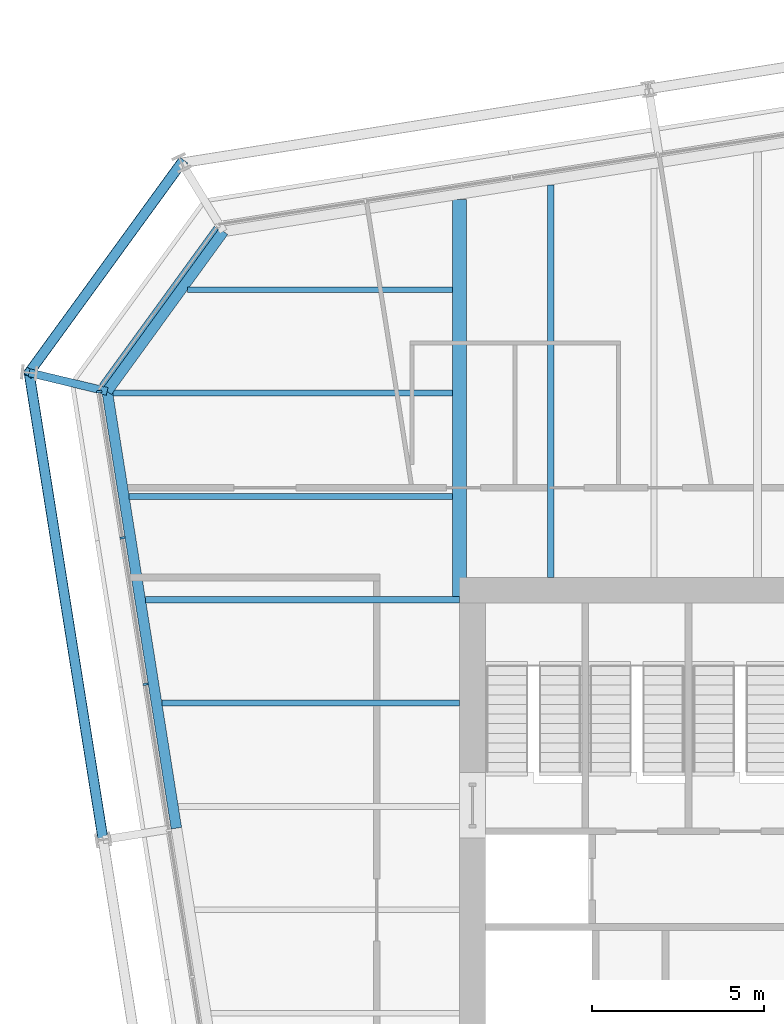
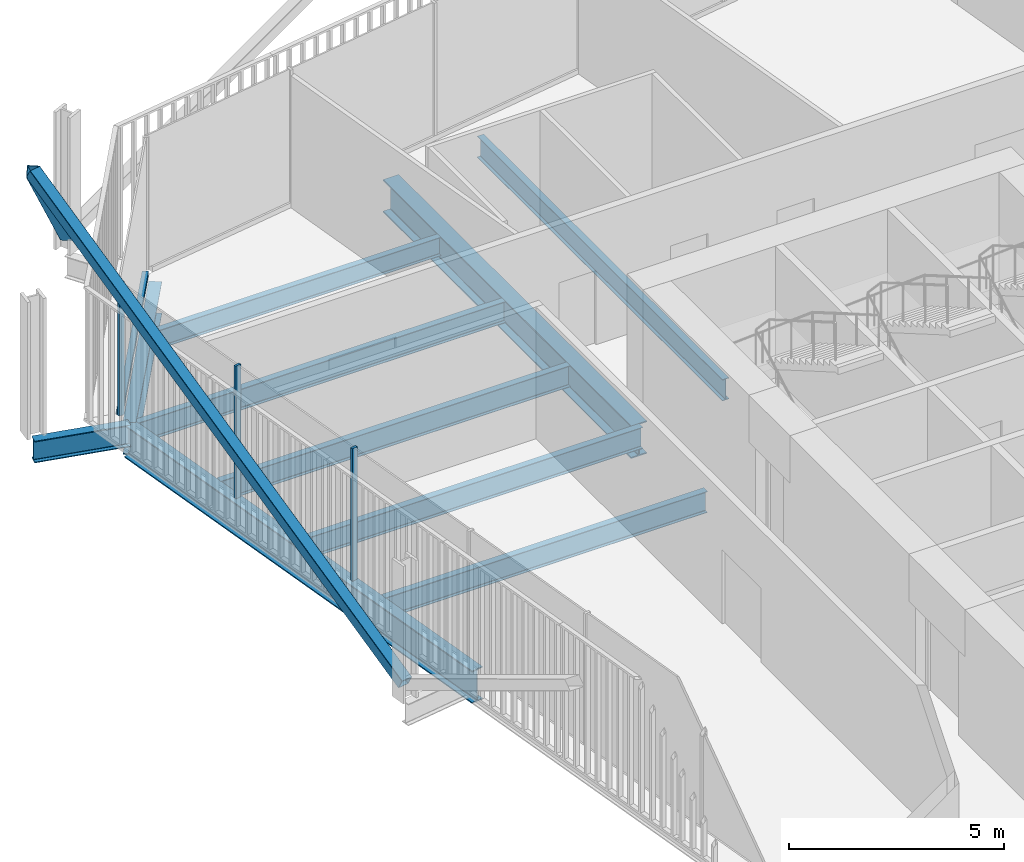
# One storey, part 10 of 22: 10 beams, 6 members, 2 elements without a shape of their own.
"""IFC4 building model written with IfcOpenShell, lengths in metres."""

from ifc_helpers import new_model, si_unit, direction, frame, origin, origin_2d, place, context, subcontext, project, spatial, rectangle, hollow_rectangle, i_section, extrude, material, layer, layer_set, material_profile, profile_set, type_object, element, aggregate, save


model = new_model("IFC4")

# Units and contexts
model_context = context("Model", 3, precision=1e-05, world=origin(), true_north=direction((0.0, 1.0)))
body_context = subcontext(model_context, "Body", "Model", "MODEL_VIEW")
ifc_project = project(units=[si_unit("LENGTHUNIT", "METRE"), si_unit("AREAUNIT", "SQUARE_METRE"), si_unit("VOLUMEUNIT", "CUBIC_METRE"), si_unit("PLANEANGLEUNIT", "RADIAN"), si_unit("MASSUNIT", "GRAM", prefix="KILO")], contexts=[model_context])

# Site, building, storey
site_placement = place(None, origin())
site = spatial("IfcSite", under=ifc_project, at=site_placement, CompositionType="ELEMENT")
building_placement = place(site_placement, origin())
building = spatial("IfcBuilding", under=site, at=building_placement, Name="Millrace Tower", CompositionType="ELEMENT")
storey_placement = place(building_placement, frame((0.0, 0.0, 180.0)))
storey = spatial("IfcBuildingStorey", under=building, at=storey_placement, Name="L40", CompositionType="ELEMENT", Elevation=180.0)

# Curtain wall, members
ifc_material_1 = material(Name="Aluminium and glass", Category="aluminium")
ifc_layer = layer(ifc_material_1, 0.14990234375)
ifc_layer_set = layer_set([ifc_layer], Name="Aluminium and glass")
curtain_wall_type = type_object("IfcCurtainWallType", Name="CW-1 office vision curtain wall", PredefinedType="NOTDEFINED", material=ifc_layer_set)
placement = place(storey_placement, origin())
curtain_wall_1 = element("IfcCurtainWall", 1, at=placement, inside=storey, type_object=curtain_wall_type, Name="Curtain wall C-F08 L40", PredefinedType="NOTDEFINED")
ifc_material_2 = material(Name="Aluminium", Category="aluminium")
ifc_material_profile_1 = material_profile(ifc_material_2, rectangle(XDim=0.06494140625, YDim=0.14990234375, at=origin_2d()))
ifc_profile_set_1 = profile_set([ifc_material_profile_1], Name="Aluminium")
member_type_1 = type_object("IfcMemberType", Name="CW-1 office vision curtain wall mullion", PredefinedType="MULLION", material=ifc_profile_set_1)
member_1_placement = place(storey_placement, frame((-25.106689453125, 15.041748046875, 0.139892578125), z_axis=(0.0, 0.0, 1.0), x_axis=(0.15643447328, -0.98768833929, 0.0)))
member_1 = element("IfcMember", 2, at=member_1_placement, type_object=member_type_1, Name="CW1 mullion C-F08.1", PredefinedType="MULLION", context=body_context, shape_type="SweptSolid", body=[
    extrude(rectangle(XDim=0.06494140625, YDim=0.14990234375, at=origin_2d()), origin(), (0.0, 0.0, 1.0), 3.760009765625),
])
member_2_placement = place(storey_placement, frame((-24.43408203125, 10.794677734375, 0.139892578125), z_axis=(0.0, 0.0, 1.0), x_axis=(0.15643447328, -0.98768833929, 0.0)))
member_2 = element("IfcMember", 3, at=member_2_placement, type_object=member_type_1, Name="CW1 mullion C-F08.2", PredefinedType="MULLION", context=body_context, shape_type="SweptSolid", body=[
    extrude(rectangle(XDim=0.06494140625, YDim=0.14990234375, at=origin_2d()), origin(), (0.0, 0.0, 1.0), 3.760009765625),
])
member_3_placement = place(storey_placement, frame((-23.76123046875, 6.547607421875, 0.139892578125), z_axis=(0.0, 0.0, 1.0), x_axis=(0.15643447328, -0.98768833929, 0.0)))
member_3 = element("IfcMember", 4, at=member_3_placement, type_object=member_type_1, Name="CW1 mullion C-F08.3", PredefinedType="MULLION", context=body_context, shape_type="SweptSolid", body=[
    extrude(rectangle(XDim=0.06494140625, YDim=0.14990234375, at=origin_2d()), origin(), (0.0, 0.0, 1.0), 3.760009765625),
])
aggregate(curtain_wall_1, [member_1, member_2, member_3])

# Curtain wall, member
curtain_wall_2 = element("IfcCurtainWall", 5, at=placement, inside=storey, type_object=curtain_wall_type, Name="Curtain wall C-F07 L40", PredefinedType="NOTDEFINED")
ifc_material_3 = material(Name="Aluminium", Category="aluminium")
ifc_material_profile_2 = material_profile(ifc_material_3, rectangle(XDim=0.14990234375, YDim=0.139892578125, at=origin_2d()))
ifc_profile_set_2 = profile_set([ifc_material_profile_2], Name="Aluminium")
member_type_2 = type_object("IfcMemberType", Name="CW-1 office vision curtain wall transom", PredefinedType="USERDEFINED", material=ifc_profile_set_2)
member_4_placement = place(storey_placement, frame((-21.70751953125, 19.796875, 0.070068359375), z_axis=(-0.587761915215, -0.80903394924, 0.0), x_axis=(0.80903394924, -0.587761915215, 0.0)))
member_4 = element("IfcMember", 6, at=member_4_placement, type_object=member_type_2, Name="CW1 transom C-F07.1", ObjectType="TRANSOM", PredefinedType="USERDEFINED", context=body_context, shape_type="SweptSolid", body=[
    extrude(rectangle(XDim=0.14990234375, YDim=0.139892578125, at=origin_2d()), origin(), (0.0, 0.0, 1.0), 5.6689453125),
])
aggregate(curtain_wall_2, [member_4])

# Members
ifc_material_4 = material(Name="Steel ASTM A500 Grade C", Category="steel")
ifc_material_profile_3 = material_profile(ifc_material_4, hollow_rectangle(XDim=0.3046875, YDim=0.3046875, WallThickness=0.0126953125, InnerFilletRadius=0.00634765625, OuterFilletRadius=0.01904296875, at=origin_2d()))
ifc_profile_set_3 = profile_set([ifc_material_profile_3], Name="Steel ASTM A500 Grade C")
member_type_3 = type_object("IfcMemberType", Name="Exoskeleton brace HSS12x12x1/2", PredefinedType="BRACE", material=ifc_profile_set_3)
member_5_placement = place(storey_placement, frame((-22.718994140625, 21.679443359375, 0.39990234375), z_axis=(-0.430389097037, -0.592387752691, 0.681059450866), x_axis=(0.809020759968, -0.587780069364, 0.0)))
element("IfcMember", 7, at=member_5_placement, inside=storey, type_object=member_type_3, Name="BRC-C-L40-13", PredefinedType="BRACE", context=body_context, shape_type="SweptSolid", body=[
    extrude(hollow_rectangle(XDim=0.3046875, YDim=0.3046875, WallThickness=0.0126953125, InnerFilletRadius=0.00634765625, OuterFilletRadius=0.01904296875, at=origin_2d()), origin(), (0.0, 0.0, 1.0), 10.278076171875),
])
member_6_placement = place(storey_placement, frame((-24.9951171875, 2.031494140625, 0.39990234375), z_axis=(-0.139355372932, 0.879906554943, 0.454251620363), x_axis=(-0.987689751328, -0.156425557764, 0.0)))
element("IfcMember", 8, at=member_6_placement, inside=storey, type_object=member_type_3, Name="BRC-C-L40-14", PredefinedType="BRACE", context=body_context, shape_type="SweptSolid", body=[
    extrude(hollow_rectangle(XDim=0.3046875, YDim=0.3046875, WallThickness=0.0126953125, InnerFilletRadius=0.00634765625, OuterFilletRadius=0.01904296875, at=origin_2d()), origin(), (0.0, 0.0, 1.0), 15.409912109375),
])

# Beams
ifc_material_5 = material(Name="Steel ASTM A992 Grade 50", Category="steel")
ifc_material_profile_4 = material_profile(ifc_material_5, i_section(OverallWidth=0.1650390625, OverallDepth=0.52587890625, WebThickness=0.0087890625, FlangeThickness=0.011474609375, FilletRadius=0.0126953125, at=origin_2d()))
ifc_profile_set_4 = profile_set([ifc_material_profile_4], Name="Steel ASTM A992 Grade 50")
beam_type_1 = type_object("IfcBeamType", Name="Floor beam W21x44", PredefinedType="JOIST", material=ifc_profile_set_4)
beam_1_placement = place(storey_placement, frame((-22.540283203125, 18.0, -0.4228515625), z_axis=(1.0, 0.0, 0.0), x_axis=(0.0, 1.0, 0.0)))
element("IfcBeam", 9, at=beam_1_placement, inside=storey, type_object=beam_type_1, Name="BM-C-L40-S1-S035", PredefinedType="JOIST", context=body_context, shape_type="SweptSolid", body=[
    extrude(i_section(OverallWidth=0.1650390625, OverallDepth=0.52587890625, WebThickness=0.0087890625, FlangeThickness=0.011474609375, FilletRadius=0.0126953125, at=origin_2d()), origin(), (0.0, 0.0, 1.0), 7.6806640625),
])
ifc_material_6 = material(Name="Steel ASTM A992 Grade 50", Category="steel")
ifc_material_profile_5 = material_profile(ifc_material_6, i_section(OverallWidth=0.177978515625, OverallDepth=0.599365234375, WebThickness=0.010009765625, FlangeThickness=0.012939453125, FilletRadius=0.012939453125, at=origin_2d()))
ifc_profile_set_5 = profile_set([ifc_material_profile_5], Name="Steel ASTM A992 Grade 50")
beam_type_2 = type_object("IfcBeamType", Name="Floor beam W24x55", PredefinedType="JOIST", material=ifc_profile_set_5)
beam_2_placement = place(storey_placement, frame((-23.28759765625, 6.0, -0.459716796875), z_axis=(1.0, 0.0, 0.0), x_axis=(0.0, 1.0, 0.0)))
element("IfcBeam", 10, at=beam_2_placement, inside=storey, type_object=beam_type_2, Name="BM-C-L40-S1-S026", PredefinedType="JOIST", context=body_context, shape_type="SweptSolid", body=[
    extrude(i_section(OverallWidth=0.177978515625, OverallDepth=0.599365234375, WebThickness=0.010009765625, FlangeThickness=0.012939453125, FilletRadius=0.012939453125, at=origin_2d()), origin(), (0.0, 0.0, 1.0), 8.6376953125),
])
beam_3_placement = place(storey_placement, frame((-23.7626953125, 9.0, -0.459716796875), z_axis=(1.0, 0.0, 0.0), x_axis=(0.0, 1.0, 0.0)))
element("IfcBeam", 11, at=beam_3_placement, inside=storey, type_object=beam_type_2, Name="BM-C-L40-S1-S029", PredefinedType="JOIST", context=body_context, shape_type="SweptSolid", body=[
    extrude(i_section(OverallWidth=0.177978515625, OverallDepth=0.599365234375, WebThickness=0.010009765625, FlangeThickness=0.012939453125, FilletRadius=0.012939453125, at=origin_2d()), origin(), (0.0, 0.0, 1.0), 9.11279296875),
])
beam_4_placement = place(storey_placement, frame((-24.23779296875, 12.0, -0.459716796875), z_axis=(1.0, 0.0, 0.0), x_axis=(0.0, 1.0, 0.0)))
element("IfcBeam", 12, at=beam_4_placement, inside=storey, type_object=beam_type_2, Name="BM-C-L40-S1-S031", PredefinedType="JOIST", context=body_context, shape_type="SweptSolid", body=[
    extrude(i_section(OverallWidth=0.177978515625, OverallDepth=0.599365234375, WebThickness=0.010009765625, FlangeThickness=0.012939453125, FilletRadius=0.012939453125, at=origin_2d()), origin(), (0.0, 0.0, 1.0), 9.378173828125),
])
beam_5_placement = place(storey_placement, frame((-24.712890625, 15.0, -0.459716796875), z_axis=(1.0, 0.0, 0.0), x_axis=(0.0, 1.0, 0.0)))
element("IfcBeam", 13, at=beam_5_placement, inside=storey, type_object=beam_type_2, Name="BM-C-L40-S1-S033", PredefinedType="JOIST", context=body_context, shape_type="SweptSolid", body=[
    extrude(i_section(OverallWidth=0.177978515625, OverallDepth=0.599365234375, WebThickness=0.010009765625, FlangeThickness=0.012939453125, FilletRadius=0.012939453125, at=origin_2d()), origin(), (0.0, 0.0, 1.0), 9.853271484375),
])
ifc_material_7 = material(Name="Steel ASTM A992 Grade 50", Category="steel")
ifc_material_profile_6 = material_profile(ifc_material_7, i_section(OverallWidth=0.1787109375, OverallDepth=0.60205078125, WebThickness=0.010986328125, FlangeThickness=0.014892578125, FilletRadius=0.0126953125, at=origin_2d()))
ifc_profile_set_6 = profile_set([ifc_material_profile_6], Name="Steel ASTM A992 Grade 50")
beam_type_3 = type_object("IfcBeamType", Name="Floor beam W24x62", PredefinedType="JOIST", material=ifc_profile_set_6)
beam_6_placement = place(storey_placement, frame((-12.0, 9.64990234375, -0.4609375), z_axis=(0.0, 1.0, 0.0), x_axis=(-1.0, 0.0, 0.0)))
element("IfcBeam", 14, at=beam_6_placement, inside=storey, type_object=beam_type_3, Name="BM-C-L40-S1-S039", PredefinedType="JOIST", context=body_context, shape_type="SweptSolid", body=[
    extrude(i_section(OverallWidth=0.1787109375, OverallDepth=0.60205078125, WebThickness=0.010986328125, FlangeThickness=0.014892578125, FilletRadius=0.0126953125, at=origin_2d()), origin(), (0.0, 0.0, 1.0), 11.39111328125),
])
ifc_material_8 = material(Name="Steel ASTM A992 Grade 50", Category="steel")
ifc_material_profile_7 = material_profile(ifc_material_8, i_section(OverallWidth=0.419189453125, OverallDepth=0.927001953125, WebThickness=0.019287109375, FlangeThickness=0.031982421875, FilletRadius=0.024169921875, at=origin_2d()))
ifc_profile_set_7 = profile_set([ifc_material_profile_7], Name="Steel ASTM A992 Grade 50")
beam_type_4 = type_object("IfcBeamType", Name="Girder short span W36x231", PredefinedType="BEAM", material=ifc_profile_set_7)
beam_7_placement = place(storey_placement, frame((-14.64990234375, 9.090087890625, -0.62353515625), z_axis=(0.0, 1.0, 0.0), x_axis=(-1.0, 0.0, 0.0)))
element("IfcBeam", 15, at=beam_7_placement, inside=storey, type_object=beam_type_4, Name="BM-C-L40-S1-G057", PredefinedType="BEAM", context=body_context, shape_type="SweptSolid", body=[
    extrude(i_section(OverallWidth=0.419189453125, OverallDepth=0.927001953125, WebThickness=0.019287109375, FlangeThickness=0.031982421875, FilletRadius=0.024169921875, at=origin_2d()), origin(), (0.0, 0.0, 1.0), 11.523193359375),
])
ifc_material_9 = material(Name="Steel ASTM A992 Grade 50", Category="steel")
ifc_material_profile_8 = material_profile(ifc_material_9, i_section(OverallWidth=0.23046875, OverallDepth=0.6171875, WebThickness=0.01318359375, FlangeThickness=0.022216796875, FilletRadius=0.012939453125, at=origin_2d()))
ifc_profile_set_8 = profile_set([ifc_material_profile_8], Name="Steel ASTM A992 Grade 50")
beam_type_5 = type_object("IfcBeamType", Name="Link beam W24x94", PredefinedType="BEAM", material=ifc_profile_set_8)
beam_8_placement = place(storey_placement, frame((-24.8759765625, 15.046630859375, -0.468505859375), z_axis=(-0.972367333652, 0.233456138164, 0.0), x_axis=(-0.233456138164, -0.972367333652, 0.0)))
element("IfcBeam", 16, at=beam_8_placement, inside=storey, type_object=beam_type_5, Name="LNK-C-L40-S1-04", PredefinedType="BEAM", context=body_context, shape_type="SweptSolid", body=[
    extrude(i_section(OverallWidth=0.23046875, OverallDepth=0.6171875, WebThickness=0.01318359375, FlangeThickness=0.022216796875, FilletRadius=0.012939453125, at=origin_2d()), origin(), (0.0, 0.0, 1.0), 2.3310546875),
])
ifc_material_10 = material(Name="Steel ASTM A992 Grade 50", Category="steel")
ifc_material_profile_9 = material_profile(ifc_material_10, i_section(OverallWidth=0.307373046875, OverallDepth=0.927001953125, WebThickness=0.01953125, FlangeThickness=0.031982421875, FilletRadius=0.01904296875, at=origin_2d()))
ifc_profile_set_9 = profile_set([ifc_material_profile_9], Name="Steel ASTM A992 Grade 50")
beam_type_6 = type_object("IfcBeamType", Name="Ring beam medium span W36x194", PredefinedType="SPANDREL", material=ifc_profile_set_9)
beam_9_placement = place(storey_placement, frame((-22.867919921875, 2.368408203125, -0.62353515625), z_axis=(-0.156436246498, 0.987688058438, 0.0), x_axis=(-0.987688058438, -0.156436246498, 0.0)))
element("IfcBeam", 17, at=beam_9_placement, inside=storey, type_object=beam_type_6, Name="RNG-C-L40-S1-03", PredefinedType="SPANDREL", context=body_context, shape_type="SweptSolid", body=[
    extrude(i_section(OverallWidth=0.307373046875, OverallDepth=0.927001953125, WebThickness=0.01953125, FlangeThickness=0.031982421875, FilletRadius=0.01904296875, at=origin_2d()), origin(), (0.0, 0.0, 1.0), 12.836181640625),
])
ifc_material_11 = material(Name="Steel ASTM A992 Grade 50", Category="steel")
ifc_material_profile_10 = material_profile(ifc_material_11, i_section(OverallWidth=0.307373046875, OverallDepth=0.927001953125, WebThickness=0.01953125, FlangeThickness=0.031982421875, FilletRadius=0.01904296875, at=origin_2d()))
ifc_profile_set_10 = profile_set([ifc_material_profile_10], Name="Steel ASTM A992 Grade 50")
beam_type_7 = type_object("IfcBeamType", Name="Ring beam short span W36x194", PredefinedType="SPANDREL", material=ifc_profile_set_10)
beam_10_placement = place(storey_placement, frame((-24.8759765625, 15.046630859375, -0.62353515625), z_axis=(0.587787348381, 0.809015471473, 0.0), x_axis=(-0.809015471473, 0.587787348381, 0.0)))
element("IfcBeam", 18, at=beam_10_placement, inside=storey, type_object=beam_type_7, Name="RNG-C-L40-S1-04", PredefinedType="SPANDREL", context=body_context, shape_type="SweptSolid", body=[
    extrude(i_section(OverallWidth=0.307373046875, OverallDepth=0.927001953125, WebThickness=0.01953125, FlangeThickness=0.031982421875, FilletRadius=0.01904296875, at=origin_2d()), origin(), (0.0, 0.0, 1.0), 5.741943359375),
])

save(model, "model.ifc")
